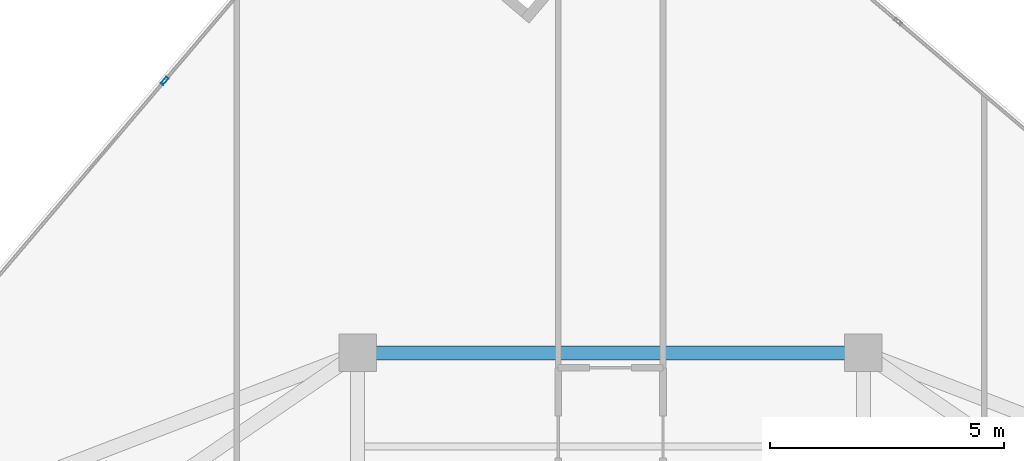
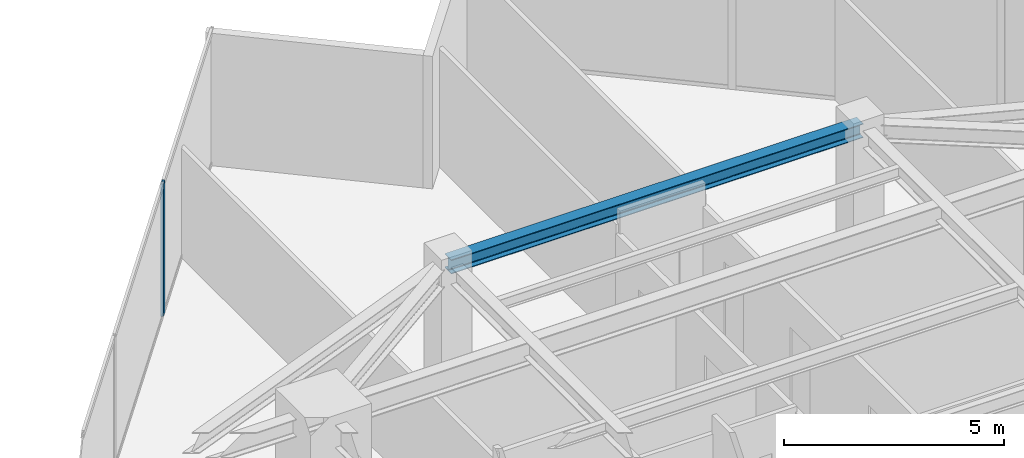
# One storey, part 17 of 25: 1 beam, 1 member, 1 element without a shape of its own.
"""IFC4 building model written with IfcOpenShell, lengths in metres."""

from ifc_helpers import new_model, si_unit, direction, frame, origin, origin_2d, place, context, subcontext, project, spatial, hollow_rectangle, i_section, extrude, source, transform, mapped, material, material_profile, profile_set, type_object, type_shapes, element, aggregate, save


model = new_model("IFC4")

# Units and contexts
model_context = context("Model", 3, precision=1e-05, world=origin(), true_north=direction((0.0, 1.0)))
body_context = subcontext(model_context, "Body", "Model", "MODEL_VIEW")
ifc_project = project(units=[si_unit("LENGTHUNIT", "METRE"), si_unit("AREAUNIT", "SQUARE_METRE"), si_unit("VOLUMEUNIT", "CUBIC_METRE"), si_unit("PLANEANGLEUNIT", "RADIAN"), si_unit("MASSUNIT", "GRAM", prefix="KILO")], contexts=[model_context])

# Site, building, storey
site_placement = place(None, origin())
site = spatial("IfcSite", under=ifc_project, at=site_placement, CompositionType="ELEMENT")
building_placement = place(site_placement, origin())
building = spatial("IfcBuilding", under=site, at=building_placement, Name="Krantzveldt Concourse Tower", CompositionType="ELEMENT")
storey_placement = place(building_placement, frame((0.0, 0.0, 211.25)))
storey = spatial("IfcBuildingStorey", under=building, at=storey_placement, Name="L51", CompositionType="ELEMENT", Elevation=211.25)

# Beam
ifc_material_1 = material(Name="Steel S355JR", Category="steel")
ifc_material_profile_1 = material_profile(ifc_material_1, i_section(OverallWidth=0.300048828125, OverallDepth=0.389892578125, WebThickness=0.010986328125, FlangeThickness=0.01904296875, FilletRadius=0.027099609375, at=origin_2d()), Name="Steel S355JR", Category="steel")
ifc_profile_set_1 = profile_set([ifc_material_profile_1], Name="Steel S355JR - HEA 400")
beam_type = type_object("IfcBeamType", Name="BM-SP-HEA400", PredefinedType="SPANDREL", material=ifc_profile_set_1)
shared_shape_1 = source(origin(), body_context, "Body", "SweptSolid", [
    extrude(i_section(OverallWidth=0.300048828125, OverallDepth=0.389892578125, WebThickness=0.010986328125, FlangeThickness=0.01904296875, FilletRadius=0.027099609375, at=origin_2d()), origin(), (0.0, 0.0, 1.0), 10.7998046875),
])
type_shapes(beam_type, [shared_shape_1])
beam_placement = place(storey_placement, frame((30.60009765625, 41.199951171875, 3.47509765625), z_axis=(1.0, 0.0, 0.0), x_axis=(0.0, 1.0, 0.0)))
element("IfcBeam", 1, at=beam_placement, inside=storey, type_object=beam_type, Name="L51 Tower Girder SP-R04", PredefinedType="SPANDREL", context=body_context, shape_type="MappedRepresentation", body=[
    mapped(shared_shape_1, transform((0.0, 0.0, 0.0), x_axis=(1.0, 0.0, 0.0), y_axis=(0.0, 1.0, 0.0), z_axis=(0.0, 0.0, 1.0), scale=1.0)),
])

# Curtain wall, member
ifc_material_2 = material(Name="Anodised aluminium 6063-T6", Category="aluminium")
curtain_wall_type = type_object("IfcCurtainWallType", Name="CW3", PredefinedType="USERDEFINED", material=ifc_material_2)
curtain_wall_placement = place(storey_placement, origin())
curtain_wall = element("IfcCurtainWall", 2, at=curtain_wall_placement, inside=storey, type_object=curtain_wall_type, Name="CW-L51-F01", ObjectType="UNITISED CURTAIN WALL", PredefinedType="USERDEFINED")
ifc_material_profile_2 = material_profile(ifc_material_2, hollow_rectangle(XDim=0.070068359375, YDim=0.179931640625, WallThickness=0.0048828125, at=origin_2d()), Name="Anodised aluminium 6063-T6", Category="aluminium")
ifc_profile_set_2 = profile_set([ifc_material_profile_2], Name="Anodised aluminium 6063-T6 - ALU-MULL 180x70x5")
member_type = type_object("IfcMemberType", Name="CW-MUL-180", PredefinedType="MULLION", material=ifc_profile_set_2)
shared_shape_2 = source(origin(), body_context, "Body", "SweptSolid", [
    extrude(hollow_rectangle(XDim=0.070068359375, YDim=0.179931640625, WallThickness=0.0048828125, at=origin_2d()), origin(), (0.0, 0.0, 1.0), 3.669921875),
])
type_shapes(member_type, [shared_shape_2])
member_placement = place(storey_placement, frame((26.4755859375, 47.00634765625, 0.0), z_axis=(0.0, 0.0, 1.0), x_axis=(0.761820912327, -0.647787694805, 0.0)))
member = element("IfcMember", 3, at=member_placement, type_object=member_type, Name="CW-Z34 mullion 2", PredefinedType="MULLION", context=body_context, shape_type="MappedRepresentation", body=[
    mapped(shared_shape_2, transform((0.0, 0.0, 0.0), x_axis=(1.0, 0.0, 0.0), y_axis=(0.0, 1.0, 0.0), z_axis=(0.0, 0.0, 1.0), scale=1.0)),
])
aggregate(curtain_wall, [member])

save(model, "model.ifc")
